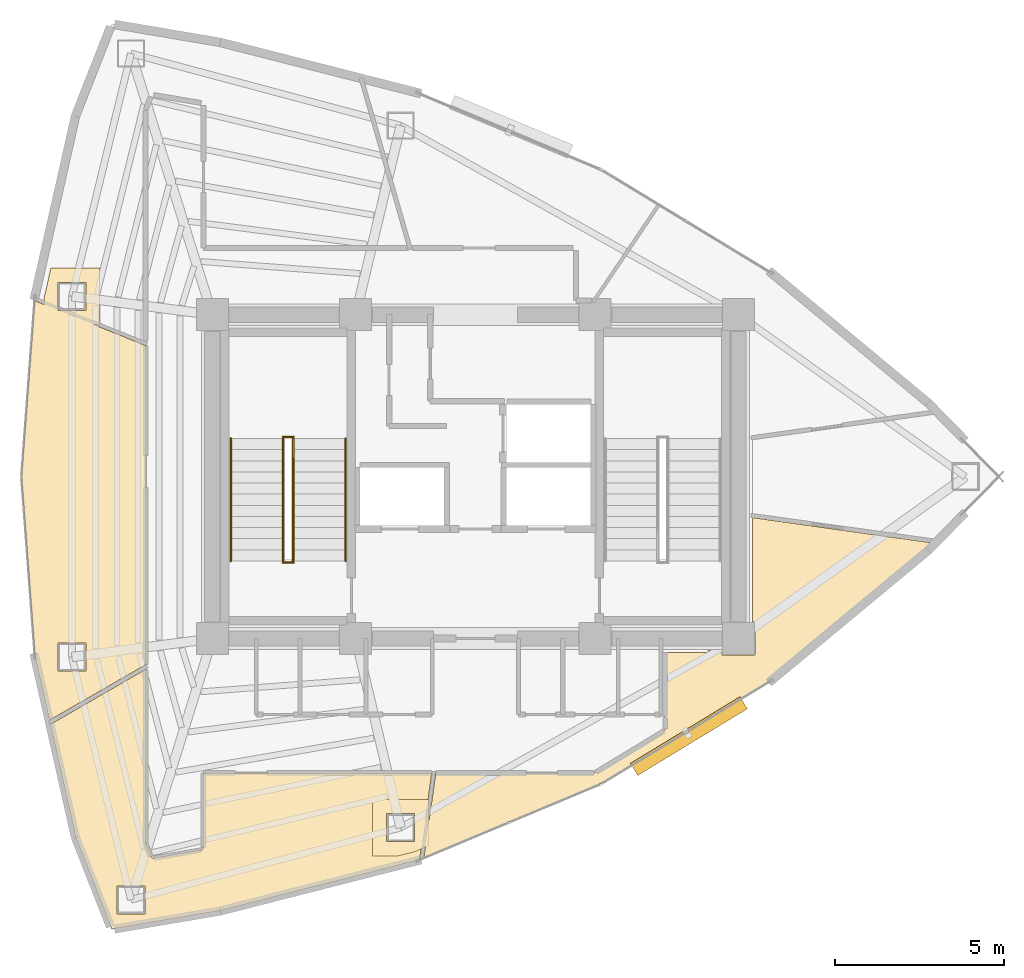
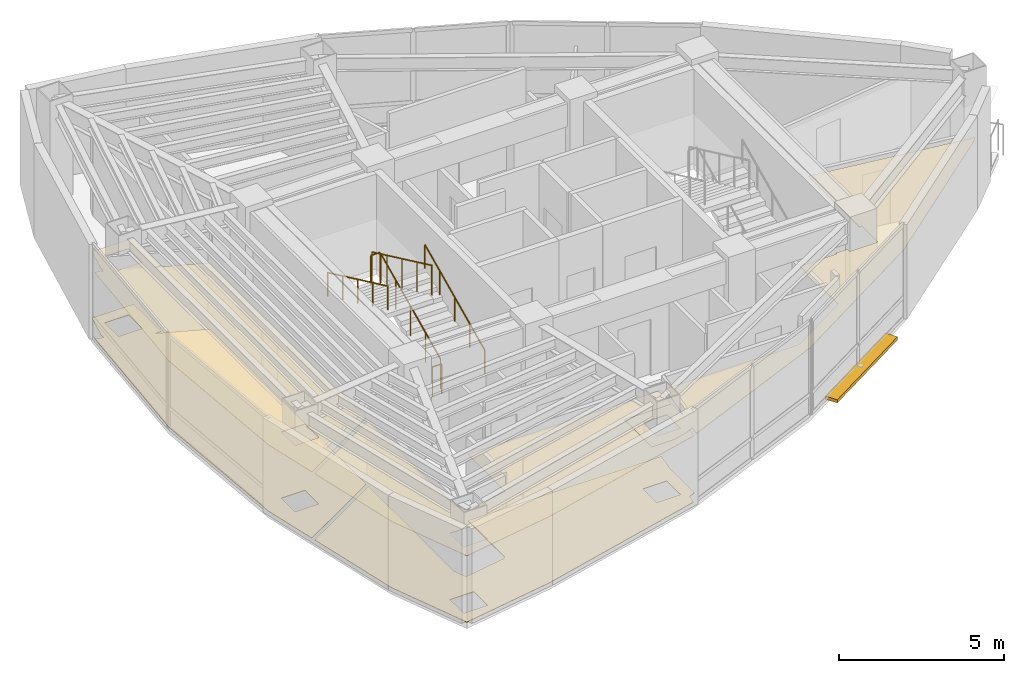
# One storey, part 14 of 15: 6 railings, 5 coverings, 1 shading device.
"""IFC4 building model written with IfcOpenShell, lengths in metres."""

from ifc_helpers import new_model, si_unit, direction, frame, origin, origin_2d, place, context, subcontext, project, spatial, polyline, rectangle, circle, outline, extrude, material, layer, layer_set, type_object, element, save


model = new_model("IFC4")

# Units and contexts
model_context = context("Model", 3, precision=1e-05, world=origin(), true_north=direction((0.0, 1.0)))
body_context = subcontext(model_context, "Body", "Model", "MODEL_VIEW")
ifc_project = project(units=[si_unit("LENGTHUNIT", "METRE"), si_unit("AREAUNIT", "SQUARE_METRE"), si_unit("VOLUMEUNIT", "CUBIC_METRE"), si_unit("PLANEANGLEUNIT", "RADIAN"), si_unit("MASSUNIT", "GRAM", prefix="KILO")], contexts=[model_context])

# Site, building, storey
site_placement = place(None, origin())
site = spatial("IfcSite", under=ifc_project, at=site_placement, CompositionType="ELEMENT")
building_placement = place(site_placement, origin())
building = spatial("IfcBuilding", under=site, at=building_placement, Name="Menara Vayukalpa", CompositionType="ELEMENT")
storey_placement = place(building_placement, frame((0.0, 0.0, 284.340087890625)))
storey = spatial("IfcBuildingStorey", under=building, at=storey_placement, Name="L72", CompositionType="ELEMENT", Elevation=284.340087890625)

# Coverings
ifc_material_1 = material(Name="Mineral Fibre Acoustic Ceiling Tile", Category="masonry")
ifc_layer_1 = layer(ifc_material_1, 0.02490234375)
ifc_layer_set_1 = layer_set([ifc_layer_1], Name="Mineral Fibre Acoustic Ceiling Tile")
covering_type_1 = type_object("IfcCoveringType", Name="COV-CLG1", PredefinedType="CEILING", material=ifc_layer_set_1)
covering_1_placement = place(storey_placement, frame((0.0, 0.0, 2.449951171875)))
element("IfcCovering", 1, at=covering_1_placement, inside=storey, type_object=covering_type_1, Name="L72 Corporate Training Classroom Acoustic Ceiling", PredefinedType="CEILING", context=body_context, shape_type="SweptSolid", body=[
    extrude(outline(polyline([(12.148193359375, 22.0), (12.148193359375, 22.000732421875), (12.537841796875, 27.198486328125), (12.5380859375, 27.19970703125), (12.538330078125, 27.20068359375), (12.53857421875, 27.201416015625), (12.5390625, 27.202392578125), (12.53955078125, 27.203369140625), (12.5400390625, 27.2041015625), (12.540771484375, 27.204833984375), (12.54150390625, 27.20556640625), (12.542236328125, 27.2060546875), (12.54296875, 27.20654296875), (12.5439453125, 27.20703125), (12.544921875, 27.20751953125), (12.5458984375, 27.207763671875), (12.546875, 27.207763671875), (12.5478515625, 27.2080078125), (12.548828125, 27.2080078125), (12.5498046875, 27.207763671875), (12.55078125, 27.20751953125), (12.551513671875, 27.207275390625), (12.803955078125, 27.105224609375), (12.803955078125, 27.13623046875), (12.816650390625, 27.305419921875), (13.013916015625, 28.181640625), (14.47412109375, 28.181640625), (14.47412109375, 26.51171875), (14.27294921875, 26.51171875), (15.82373046875, 25.88525390625), (15.82470703125, 25.884765625), (15.825439453125, 25.88427734375), (15.826416015625, 25.8837890625), (15.826904296875, 25.883056640625), (15.82763671875, 25.88232421875), (15.828369140625, 25.881591796875), (15.828857421875, 25.880615234375), (15.8291015625, 25.8798828125), (15.82958984375, 25.87890625), (15.829833984375, 25.8779296875), (15.830078125, 25.876953125), (15.830078125, 25.8759765625), (15.830078125, 16.434326171875), (15.830078125, 16.433349609375), (15.829833984375, 16.432373046875), (15.82958984375, 16.431396484375), (15.829345703125, 16.4306640625), (15.828857421875, 16.4296875), (15.828369140625, 16.428955078125), (15.827880859375, 16.427978515625), (15.8271484375, 16.427490234375), (15.826416015625, 16.4267578125), (15.82568359375, 16.42626953125), (15.824951171875, 16.425537109375), (12.98291015625, 14.784912109375), (12.982177734375, 14.784423828125), (12.981201171875, 14.783935546875), (12.980224609375, 14.78369140625), (12.979248046875, 14.78369140625), (12.978271484375, 14.783447265625), (12.977294921875, 14.783447265625), (12.976318359375, 14.78369140625), (12.975341796875, 14.78369140625), (12.974365234375, 14.7841796875), (12.973388671875, 14.784423828125), (12.97265625, 14.784912109375), (12.971923828125, 14.78564453125), (12.97119140625, 14.7861328125), (12.970458984375, 14.786865234375), (12.9697265625, 14.78759765625), (12.96923828125, 14.78857421875), (12.968994140625, 14.789306640625), (12.968505859375, 14.790283203125), (12.96826171875, 14.791259765625), (12.549072265625, 16.654052734375), (12.548828125, 16.655517578125), (12.148193359375, 21.999267578125), (12.148193359375, 22.0)]), holes=[polyline([(14.053955078125, 17.068359375), (13.22412109375, 17.068359375), (13.22412109375, 16.23828125), (14.053955078125, 16.23828125), (14.053955078125, 17.068359375)]), polyline([(14.053955078125, 27.76171875), (13.22412109375, 27.76171875), (13.22412109375, 26.931640625), (14.053955078125, 26.931640625), (14.053955078125, 27.76171875)])]), origin(), (0.0, 0.0, 1.0), 0.02490234375),
])
covering_2_placement = place(storey_placement, frame((0.0, 0.0, 2.449951171875)))
element("IfcCovering", 2, at=covering_2_placement, inside=storey, type_object=covering_type_1, Name="L72 Corporate Training Classroom Acoustic Ceiling", PredefinedType="CEILING", context=body_context, shape_type="SweptSolid", body=[
    extrude(outline(polyline([(23.98828125, 10.96337890625), (23.9462890625, 10.664794921875), (23.94580078125, 10.65869140625), (23.945556640625, 10.65771484375), (23.9453125, 10.65673828125), (23.945068359375, 10.65576171875), (23.944580078125, 10.65478515625), (23.944091796875, 10.654052734375), (23.943603515625, 10.6533203125), (23.94287109375, 10.652587890625), (23.942138671875, 10.65185546875), (23.94140625, 10.6513671875), (23.940673828125, 10.65087890625), (23.939697265625, 10.650390625), (23.878662109375, 10.624755859375), (23.877197265625, 10.624267578125), (18.028564453125, 9.1328125), (18.027587890625, 9.132568359375), (14.82861328125, 8.58935546875), (14.827392578125, 8.589111328125), (14.826416015625, 8.589111328125), (14.82568359375, 8.58935546875), (14.82470703125, 8.58935546875), (14.82373046875, 8.589599609375), (14.82275390625, 8.590087890625), (14.822021484375, 8.590576171875), (14.821044921875, 8.591064453125), (14.8203125, 8.591552734375), (14.819580078125, 8.59228515625), (14.81884765625, 8.593017578125), (14.818359375, 8.59375), (14.81787109375, 8.5947265625), (14.8173828125, 8.595458984375), (13.751953125, 11.308837890625), (13.751708984375, 11.309814453125), (13.75146484375, 11.310302734375), (13.00048828125, 14.648193359375), (13.000244140625, 14.649169921875), (13.000244140625, 14.650146484375), (13.000244140625, 14.651123046875), (13.000244140625, 14.652099609375), (13.00048828125, 14.653076171875), (13.0009765625, 14.654052734375), (13.001220703125, 14.65478515625), (13.001708984375, 14.65576171875), (13.002197265625, 14.656494140625), (13.0029296875, 14.6572265625), (13.003662109375, 14.657958984375), (13.00439453125, 14.658447265625), (13.005126953125, 14.6591796875), (15.81494140625, 16.281494140625), (15.81591796875, 16.28173828125), (15.81689453125, 16.2822265625), (15.81787109375, 16.282470703125), (15.81884765625, 16.28271484375), (15.81982421875, 16.28271484375), (15.82080078125, 16.28271484375), (15.82177734375, 16.282470703125), (15.82275390625, 16.2822265625), (15.82373046875, 16.281982421875), (15.82470703125, 16.281494140625), (15.825439453125, 16.281005859375), (15.826171875, 16.280517578125), (15.826904296875, 16.27978515625), (15.82763671875, 16.279052734375), (15.828369140625, 16.2783203125), (15.828857421875, 16.277587890625), (15.8291015625, 16.276611328125), (15.82958984375, 16.275634765625), (15.829833984375, 16.274658203125), (15.830078125, 16.273681640625), (15.830078125, 16.272705078125), (15.830078125, 11.146484375), (15.830322265625, 11.1396484375), (15.831298828125, 11.13330078125), (15.832763671875, 11.126708984375), (15.8349609375, 11.12060546875), (15.984619140625, 10.7392578125), (15.987548828125, 10.732666015625), (15.990966796875, 10.726806640625), (15.994873046875, 10.72119140625), (15.999267578125, 10.716064453125), (16.00439453125, 10.71142578125), (16.009765625, 10.707275390625), (16.015625, 10.70361328125), (16.021484375, 10.700439453125), (16.02783203125, 10.697998046875), (16.034423828125, 10.6962890625), (16.041259765625, 10.695068359375), (16.048095703125, 10.694580078125), (16.054931640625, 10.694580078125), (16.06201171875, 10.695556640625), (17.471435546875, 10.934814453125), (17.478515625, 10.936279296875), (17.485107421875, 10.938720703125), (17.49169921875, 10.94140625), (17.497802734375, 10.94482421875), (17.50341796875, 10.94921875), (17.5087890625, 10.95361328125), (17.513427734375, 10.958740234375), (17.517822265625, 10.96435546875), (17.521484375, 10.97021484375), (17.5244140625, 10.9765625), (17.52685546875, 10.983154296875), (17.528564453125, 10.989990234375), (17.529541015625, 10.996826171875), (17.530029296875, 11.004150390625), (17.530029296875, 13.2099609375), (17.530029296875, 13.2109375), (17.5302734375, 13.2119140625), (17.530517578125, 13.212890625), (17.53076171875, 13.2138671875), (17.53125, 13.214599609375), (17.53173828125, 13.215576171875), (17.5322265625, 13.21630859375), (17.532958984375, 13.217041015625), (17.53369140625, 13.2177734375), (17.534423828125, 13.21826171875), (17.535400390625, 13.21875), (17.5361328125, 13.21923828125), (17.537109375, 13.219482421875), (17.5380859375, 13.2197265625), (17.5390625, 13.219970703125), (17.5400390625, 13.219970703125), (24.2939453125, 13.219970703125), (24.294921875, 13.219970703125), (24.2958984375, 13.2197265625), (24.297119140625, 13.219482421875), (24.2978515625, 13.21923828125), (24.298828125, 13.21875), (24.2998046875, 13.21826171875), (24.300537109375, 13.217529296875), (24.30126953125, 13.216796875), (24.302001953125, 13.21630859375), (24.302490234375, 13.21533203125), (24.302978515625, 13.214599609375), (24.30322265625, 13.213623046875), (24.3037109375, 13.212646484375), (24.303955078125, 13.211669921875), (24.303955078125, 13.210693359375), (24.303955078125, 13.209716796875), (24.303955078125, 13.20849609375), (24.194580078125, 12.43017578125), (24.216796875, 12.43017578125), (24.216796875, 11.05908203125), (23.98828125, 10.96337890625)]), holes=[polyline([(14.97412109375, 9.870361328125), (14.97412109375, 9.040283203125), (15.80419921875, 9.040283203125), (15.80419921875, 9.870361328125), (14.97412109375, 9.870361328125)]), polyline([(23.796875, 12.01025390625), (22.966796875, 12.01025390625), (22.966796875, 11.18017578125), (23.796875, 11.18017578125), (23.796875, 12.01025390625)])]), origin(), (0.0, 0.0, 1.0), 0.02490234375),
])
covering_3_placement = place(storey_placement, frame((0.0, 0.0, 2.449951171875)))
element("IfcCovering", 3, at=covering_3_placement, inside=storey, type_object=covering_type_1, Name="L72 Corporate Training Classroom Acoustic Ceiling", PredefinedType="CEILING", context=body_context, shape_type="SweptSolid", body=[
    extrude(outline(polyline([(24.216796875, 12.43017578125), (24.216796875, 11.727783203125), (24.42529296875, 13.21142578125), (24.425537109375, 13.21240234375), (24.42578125, 13.213134765625), (24.42626953125, 13.214111328125), (24.426513671875, 13.215087890625), (24.427001953125, 13.2158203125), (24.427734375, 13.216552734375), (24.428466796875, 13.21728515625), (24.42919921875, 13.218017578125), (24.429931640625, 13.218505859375), (24.4306640625, 13.218994140625), (24.431640625, 13.21923828125), (24.4326171875, 13.219482421875), (24.433349609375, 13.2197265625), (24.434326171875, 13.219970703125), (24.435302734375, 13.219970703125), (29.109619140625, 13.219970703125), (29.11669921875, 13.220458984375), (29.12353515625, 13.221435546875), (29.13037109375, 13.22314453125), (29.13720703125, 13.2255859375), (29.153076171875, 13.232177734375), (29.157958984375, 13.234375), (29.16259765625, 13.237060546875), (31.18603515625, 14.46630859375), (31.1923828125, 14.470458984375), (31.19775390625, 14.47509765625), (31.20263671875, 14.480224609375), (31.20703125, 14.48583984375), (31.2109375, 14.491943359375), (31.214111328125, 14.498291015625), (31.216552734375, 14.5048828125), (31.218505859375, 14.511962890625), (31.219482421875, 14.51904296875), (31.219970703125, 14.5263671875), (31.219970703125, 14.849609375), (31.219482421875, 14.856689453125), (31.21875, 14.86376953125), (31.217041015625, 14.870361328125), (31.214599609375, 14.876708984375), (31.2119140625, 14.8828125), (31.211669921875, 14.883056640625), (31.211181640625, 14.8837890625), (31.210693359375, 14.884765625), (31.21044921875, 14.8857421875), (31.210205078125, 14.88671875), (31.2099609375, 14.8876953125), (31.2099609375, 14.888671875), (31.2099609375, 16.780029296875), (31.2099609375, 16.781005859375), (31.210205078125, 16.781982421875), (31.21044921875, 16.782958984375), (31.210693359375, 16.78369140625), (31.211181640625, 16.78466796875), (31.211669921875, 16.78564453125), (31.21240234375, 16.786376953125), (31.212890625, 16.787109375), (31.213623046875, 16.78759765625), (31.21435546875, 16.788330078125), (31.21533203125, 16.788818359375), (31.21630859375, 16.789306640625), (31.217041015625, 16.78955078125), (31.218017578125, 16.789794921875), (31.218994140625, 16.7900390625), (31.219970703125, 16.7900390625), (32.489990234375, 16.7900390625), (32.489990234375, 16.85009765625), (32.909912109375, 16.85009765625), (32.909912109375, 16.7099609375), (33.889892578125, 16.7099609375), (33.889892578125, 17.68994140625), (33.81005859375, 17.68994140625), (33.81005859375, 20.774169921875), (33.81005859375, 20.775146484375), (33.810302734375, 20.776123046875), (33.810546875, 20.777099609375), (33.810791015625, 20.778076171875), (33.811279296875, 20.77880859375), (33.811767578125, 20.77978515625), (33.8125, 20.780517578125), (33.81298828125, 20.78125), (33.813720703125, 20.781982421875), (33.814697265625, 20.782470703125), (33.8154296875, 20.782958984375), (33.81640625, 20.783447265625), (33.8173828125, 20.78369140625), (33.818359375, 20.783935546875), (33.8193359375, 20.7841796875), (33.8203125, 20.7841796875), (33.8212890625, 20.783935546875), (39.19970703125, 20.028076171875), (39.20068359375, 20.02783203125), (39.201416015625, 20.027587890625), (39.202392578125, 20.027099609375), (39.203369140625, 20.02685546875), (39.2041015625, 20.026123046875), (39.205078125, 20.025634765625), (39.205810546875, 20.02490234375), (39.206298828125, 20.024169921875), (39.206787109375, 20.023193359375), (39.207275390625, 20.022216796875), (39.207763671875, 20.021484375), (39.2080078125, 20.0205078125), (39.2080078125, 20.01953125), (39.208251953125, 20.0185546875), (39.208251953125, 20.017578125), (39.2080078125, 20.0166015625), (39.207763671875, 20.015380859375), (39.20751953125, 20.014404296875), (39.20703125, 20.013671875), (39.20654296875, 20.0126953125), (39.2060546875, 20.011962890625), (39.205322265625, 20.01123046875), (39.021240234375, 19.82373046875), (39.0205078125, 19.822998046875), (34.374755859375, 15.97021484375), (34.37353515625, 15.969482421875), (29.3271484375, 12.904052734375), (29.326416015625, 12.90380859375), (29.32568359375, 12.9033203125), (24.089599609375, 10.713134765625), (24.088623046875, 10.712646484375), (24.087646484375, 10.71240234375), (24.086669921875, 10.71240234375), (24.085693359375, 10.71240234375), (24.084716796875, 10.71240234375), (24.083740234375, 10.71240234375), (24.082763671875, 10.712890625), (24.081787109375, 10.713134765625), (24.080810546875, 10.713623046875), (24.080078125, 10.714111328125), (24.0791015625, 10.714599609375), (24.07861328125, 10.71533203125), (24.077880859375, 10.716064453125), (24.0771484375, 10.717041015625), (24.07666015625, 10.7177734375), (24.076416015625, 10.71875), (24.075927734375, 10.7197265625), (24.07568359375, 10.720703125), (24.07568359375, 10.7216796875), (24.07568359375, 10.72265625), (24.07568359375, 10.7236328125), (24.116943359375, 11.01708984375), (23.7919921875, 10.881103515625), (23.3173828125, 10.76025390625), (22.546875, 10.76025390625), (22.546875, 12.43017578125), (24.216796875, 12.43017578125)]), holes=[polyline([(23.796875, 12.01025390625), (22.966796875, 12.01025390625), (22.966796875, 11.18017578125), (23.796875, 11.18017578125), (23.796875, 12.01025390625)])]), origin(), (0.0, 0.0, 1.0), 0.02490234375),
])
ifc_material_2 = material(Name="Porcelain Stoneware Floor Tile", Category="masonry")
ifc_layer_2 = layer(ifc_material_2, 0.02001953125)
ifc_layer_set_2 = layer_set([ifc_layer_2], Name="Porcelain Stoneware Floor Tile")
covering_type_2 = type_object("IfcCoveringType", Name="COV-FLR1", PredefinedType="FLOORING", material=ifc_layer_set_2)
covering_4_placement = place(storey_placement, origin())
element("IfcCovering", 4, at=covering_4_placement, inside=storey, type_object=covering_type_2, Name="L72 Corporate Training Classroom Porcelain Flooring", PredefinedType="FLOORING", context=body_context, shape_type="SweptSolid", body=[
    extrude(outline(polyline([(12.148193359375, 22.0), (12.148193359375, 22.000732421875), (12.537841796875, 27.198486328125), (12.5380859375, 27.19970703125), (12.538330078125, 27.20068359375), (12.53857421875, 27.201416015625), (12.5390625, 27.202392578125), (12.53955078125, 27.203369140625), (12.5400390625, 27.2041015625), (12.540771484375, 27.204833984375), (12.54150390625, 27.20556640625), (12.542236328125, 27.2060546875), (12.54296875, 27.20654296875), (12.5439453125, 27.20703125), (12.544921875, 27.20751953125), (12.5458984375, 27.207763671875), (12.546875, 27.207763671875), (12.5478515625, 27.2080078125), (12.548828125, 27.2080078125), (12.5498046875, 27.207763671875), (12.55078125, 27.20751953125), (12.551513671875, 27.207275390625), (12.803955078125, 27.105224609375), (12.803955078125, 27.13623046875), (12.816650390625, 27.305419921875), (13.013916015625, 28.181640625), (14.47412109375, 28.181640625), (14.47412109375, 26.51171875), (14.27294921875, 26.51171875), (15.82373046875, 25.88525390625), (15.82470703125, 25.884765625), (15.825439453125, 25.88427734375), (15.826416015625, 25.8837890625), (15.826904296875, 25.883056640625), (15.82763671875, 25.88232421875), (15.828369140625, 25.881591796875), (15.828857421875, 25.880615234375), (15.8291015625, 25.8798828125), (15.82958984375, 25.87890625), (15.829833984375, 25.8779296875), (15.830078125, 25.876953125), (15.830078125, 25.8759765625), (15.830078125, 16.434326171875), (15.830078125, 16.433349609375), (15.829833984375, 16.432373046875), (15.82958984375, 16.431396484375), (15.829345703125, 16.4306640625), (15.828857421875, 16.4296875), (15.828369140625, 16.428955078125), (15.827880859375, 16.427978515625), (15.8271484375, 16.427490234375), (15.826416015625, 16.4267578125), (15.82568359375, 16.42626953125), (15.824951171875, 16.425537109375), (12.98291015625, 14.784912109375), (12.982177734375, 14.784423828125), (12.981201171875, 14.783935546875), (12.980224609375, 14.78369140625), (12.979248046875, 14.78369140625), (12.978271484375, 14.783447265625), (12.977294921875, 14.783447265625), (12.976318359375, 14.78369140625), (12.975341796875, 14.78369140625), (12.974365234375, 14.7841796875), (12.973388671875, 14.784423828125), (12.97265625, 14.784912109375), (12.971923828125, 14.78564453125), (12.97119140625, 14.7861328125), (12.970458984375, 14.786865234375), (12.9697265625, 14.78759765625), (12.96923828125, 14.78857421875), (12.968994140625, 14.789306640625), (12.968505859375, 14.790283203125), (12.96826171875, 14.791259765625), (12.549072265625, 16.654052734375), (12.548828125, 16.655517578125), (12.148193359375, 21.999267578125), (12.148193359375, 22.0)]), holes=[polyline([(14.053955078125, 17.068359375), (13.22412109375, 17.068359375), (13.22412109375, 16.23828125), (14.053955078125, 16.23828125), (14.053955078125, 17.068359375)]), polyline([(14.053955078125, 27.76171875), (13.22412109375, 27.76171875), (13.22412109375, 26.931640625), (14.053955078125, 26.931640625), (14.053955078125, 27.76171875)])]), origin(), (0.0, 0.0, 1.0), 0.02001953125),
])
covering_5_placement = place(storey_placement, origin())
element("IfcCovering", 5, at=covering_5_placement, inside=storey, type_object=covering_type_2, Name="L72 Corporate Training Classroom Porcelain Flooring", PredefinedType="FLOORING", context=body_context, shape_type="SweptSolid", body=[
    extrude(outline(polyline([(23.98828125, 10.96337890625), (23.9462890625, 10.664794921875), (23.94580078125, 10.65869140625), (23.945556640625, 10.65771484375), (23.9453125, 10.65673828125), (23.945068359375, 10.65576171875), (23.944580078125, 10.65478515625), (23.944091796875, 10.654052734375), (23.943603515625, 10.6533203125), (23.94287109375, 10.652587890625), (23.942138671875, 10.65185546875), (23.94140625, 10.6513671875), (23.940673828125, 10.65087890625), (23.939697265625, 10.650390625), (23.878662109375, 10.624755859375), (23.877197265625, 10.624267578125), (18.028564453125, 9.1328125), (18.027587890625, 9.132568359375), (14.82861328125, 8.58935546875), (14.827392578125, 8.589111328125), (14.826416015625, 8.589111328125), (14.82568359375, 8.58935546875), (14.82470703125, 8.58935546875), (14.82373046875, 8.589599609375), (14.82275390625, 8.590087890625), (14.822021484375, 8.590576171875), (14.821044921875, 8.591064453125), (14.8203125, 8.591552734375), (14.819580078125, 8.59228515625), (14.81884765625, 8.593017578125), (14.818359375, 8.59375), (14.81787109375, 8.5947265625), (14.8173828125, 8.595458984375), (13.751953125, 11.308837890625), (13.751708984375, 11.309814453125), (13.75146484375, 11.310302734375), (13.00048828125, 14.648193359375), (13.000244140625, 14.649169921875), (13.000244140625, 14.650146484375), (13.000244140625, 14.651123046875), (13.000244140625, 14.652099609375), (13.00048828125, 14.653076171875), (13.0009765625, 14.654052734375), (13.001220703125, 14.65478515625), (13.001708984375, 14.65576171875), (13.002197265625, 14.656494140625), (13.0029296875, 14.6572265625), (13.003662109375, 14.657958984375), (13.00439453125, 14.658447265625), (13.005126953125, 14.6591796875), (15.81494140625, 16.281494140625), (15.81591796875, 16.28173828125), (15.81689453125, 16.2822265625), (15.81787109375, 16.282470703125), (15.81884765625, 16.28271484375), (15.81982421875, 16.28271484375), (15.82080078125, 16.28271484375), (15.82177734375, 16.282470703125), (15.82275390625, 16.2822265625), (15.82373046875, 16.281982421875), (15.82470703125, 16.281494140625), (15.825439453125, 16.281005859375), (15.826171875, 16.280517578125), (15.826904296875, 16.27978515625), (15.82763671875, 16.279052734375), (15.828369140625, 16.2783203125), (15.828857421875, 16.277587890625), (15.8291015625, 16.276611328125), (15.82958984375, 16.275634765625), (15.829833984375, 16.274658203125), (15.830078125, 16.273681640625), (15.830078125, 16.272705078125), (15.830078125, 11.146484375), (15.830322265625, 11.1396484375), (15.831298828125, 11.13330078125), (15.832763671875, 11.126708984375), (15.8349609375, 11.12060546875), (15.984619140625, 10.7392578125), (15.987548828125, 10.732666015625), (15.990966796875, 10.726806640625), (15.994873046875, 10.72119140625), (15.999267578125, 10.716064453125), (16.00439453125, 10.71142578125), (16.009765625, 10.707275390625), (16.015625, 10.70361328125), (16.021484375, 10.700439453125), (16.02783203125, 10.697998046875), (16.034423828125, 10.6962890625), (16.041259765625, 10.695068359375), (16.048095703125, 10.694580078125), (16.054931640625, 10.694580078125), (16.06201171875, 10.695556640625), (17.471435546875, 10.934814453125), (17.478515625, 10.936279296875), (17.485107421875, 10.938720703125), (17.49169921875, 10.94140625), (17.497802734375, 10.94482421875), (17.50341796875, 10.94921875), (17.5087890625, 10.95361328125), (17.513427734375, 10.958740234375), (17.517822265625, 10.96435546875), (17.521484375, 10.97021484375), (17.5244140625, 10.9765625), (17.52685546875, 10.983154296875), (17.528564453125, 10.989990234375), (17.529541015625, 10.996826171875), (17.530029296875, 11.004150390625), (17.530029296875, 13.2099609375), (17.530029296875, 13.2109375), (17.5302734375, 13.2119140625), (17.530517578125, 13.212890625), (17.53076171875, 13.2138671875), (17.53125, 13.214599609375), (17.53173828125, 13.215576171875), (17.5322265625, 13.21630859375), (17.532958984375, 13.217041015625), (17.53369140625, 13.2177734375), (17.534423828125, 13.21826171875), (17.535400390625, 13.21875), (17.5361328125, 13.21923828125), (17.537109375, 13.219482421875), (17.5380859375, 13.2197265625), (17.5390625, 13.219970703125), (17.5400390625, 13.219970703125), (24.2939453125, 13.219970703125), (24.294921875, 13.219970703125), (24.2958984375, 13.2197265625), (24.297119140625, 13.219482421875), (24.2978515625, 13.21923828125), (24.298828125, 13.21875), (24.2998046875, 13.21826171875), (24.300537109375, 13.217529296875), (24.30126953125, 13.216796875), (24.302001953125, 13.21630859375), (24.302490234375, 13.21533203125), (24.302978515625, 13.214599609375), (24.30322265625, 13.213623046875), (24.3037109375, 13.212646484375), (24.303955078125, 13.211669921875), (24.303955078125, 13.210693359375), (24.303955078125, 13.209716796875), (24.303955078125, 13.20849609375), (24.194580078125, 12.43017578125), (24.216796875, 12.43017578125), (24.216796875, 11.05908203125), (23.98828125, 10.96337890625)]), holes=[polyline([(14.97412109375, 9.870361328125), (14.97412109375, 9.040283203125), (15.80419921875, 9.040283203125), (15.80419921875, 9.870361328125), (14.97412109375, 9.870361328125)]), polyline([(23.796875, 12.01025390625), (22.966796875, 12.01025390625), (22.966796875, 11.18017578125), (23.796875, 11.18017578125), (23.796875, 12.01025390625)])]), origin(), (0.0, 0.0, 1.0), 0.02001953125),
])

# Railings
ifc_material_3 = material(Name="Powder-Coated Galvanised Steel Guardrail", Category="steel")
railing_type_1 = type_object("IfcRailingType", Name="RLG-STG110", PredefinedType="GUARDRAIL", material=ifc_material_3)
railing_1_placement = place(storey_placement, frame((20.199951171875, 19.5, 0.155029296875)))
element("IfcRailing", 6, at=railing_1_placement, inside=storey, type_object=railing_type_1, Name="L72 ST-1 stair guard 1", PredefinedType="GUARDRAIL", context=body_context, shape_type="SweptSolid", body=[
    extrude(circle(Radius=0.02392578125, at=origin_2d()), frame((0.0, 0.0, 1.09619140625), z_axis=(0.0, 0.90513990983, 0.425113800803), x_axis=(-1.0, 0.0, 0.0)), (0.0, 0.0, 1.0), 4.01025390625),
    extrude(circle(Radius=0.02099609375, at=origin_2d()), origin(), (0.0, 0.0, 1.0), 1.072021484375),
    extrude(circle(Radius=0.02099609375, at=origin_2d()), frame((0.0, 0.907470703125, 0.42626953125)), (0.0, 0.0, 1.0), 1.072021484375),
    extrude(circle(Radius=0.02099609375, at=origin_2d()), frame((0.0, 1.81494140625, 0.8525390625)), (0.0, 0.0, 1.0), 1.072021484375),
    extrude(circle(Radius=0.02099609375, at=origin_2d()), frame((0.0, 2.722412109375, 1.278564453125)), (0.0, 0.0, 1.0), 1.072021484375),
    extrude(circle(Radius=0.02099609375, at=origin_2d()), frame((0.0, 3.6298828125, 1.704833984375)), (0.0, 0.0, 1.0), 1.072021484375),
])
railing_2_placement = place(storey_placement, frame((20.2099609375, 23.179931640625, 1.85986328125)))
element("IfcRailing", 7, at=railing_2_placement, inside=storey, type_object=railing_type_1, Name="L72 ST-1 stair guard 2", PredefinedType="GUARDRAIL", context=body_context, shape_type="SweptSolid", body=[
    extrude(circle(Radius=0.02392578125, at=origin_2d()), frame((0.0, 0.0, 1.09619140625), z_axis=(-1.0, 0.0, 0.0), x_axis=(0.0, -1.0, 0.0)), (0.0, 0.0, 1.0), 0.320068359375),
    extrude(circle(Radius=0.02099609375, at=origin_2d()), origin(), (0.0, 0.0, 1.0), 1.072021484375),
    extrude(circle(Radius=0.02099609375, at=origin_2d()), frame((-0.320068359375, 0.0, 0.0)), (0.0, 0.0, 1.0), 1.072021484375),
])
railing_3_placement = place(storey_placement, frame((19.89990234375, 23.1298828125, 2.014892578125)))
element("IfcRailing", 8, at=railing_3_placement, inside=storey, type_object=railing_type_1, Name="L72 ST-1 stair guard 3", PredefinedType="GUARDRAIL", context=body_context, shape_type="SweptSolid", body=[
    extrude(circle(Radius=0.02392578125, at=origin_2d()), frame((0.0, 0.0, 1.09619140625), z_axis=(0.0, -0.90511648382, 0.425163675209), x_axis=(1.0, 0.0, 0.0)), (0.0, 0.0, 1.0), 4.010498046875),
    extrude(circle(Radius=0.02099609375, at=origin_2d()), origin(), (0.0, 0.0, 1.0), 1.072021484375),
    extrude(circle(Radius=0.02099609375, at=origin_2d()), frame((0.0, -0.907470703125, 0.42626953125)), (0.0, 0.0, 1.0), 1.072021484375),
    extrude(circle(Radius=0.02099609375, at=origin_2d()), frame((0.0, -1.81494140625, 0.8525390625)), (0.0, 0.0, 1.0), 1.072021484375),
    extrude(circle(Radius=0.02099609375, at=origin_2d()), frame((0.0, -2.722412109375, 1.27880859375)), (0.0, 0.0, 1.0), 1.072021484375),
    extrude(circle(Radius=0.02099609375, at=origin_2d()), frame((0.0, -3.6298828125, 1.705078125)), (0.0, 0.0, 1.0), 1.072021484375),
])
railing_4_placement = place(storey_placement, frame((20.2099609375, 19.449951171875, 0.0)))
element("IfcRailing", 9, at=railing_4_placement, inside=storey, type_object=railing_type_1, Name="L72 ST-1 stair guard 4", PredefinedType="GUARDRAIL", context=body_context, shape_type="SweptSolid", body=[
    extrude(circle(Radius=0.02392578125, at=origin_2d()), frame((0.0, 0.0, 1.09619140625), z_axis=(-1.0, 0.0, 0.0), x_axis=(0.0, -1.0, 0.0)), (0.0, 0.0, 1.0), 0.320068359375),
    extrude(circle(Radius=0.02099609375, at=origin_2d()), origin(), (0.0, 0.0, 1.0), 1.072021484375),
    extrude(circle(Radius=0.02099609375, at=origin_2d()), frame((-0.320068359375, 0.0, 0.0)), (0.0, 0.0, 1.0), 1.072021484375),
])
ifc_material_4 = material(Name="Stainless Steel 316 Tubular Handrail", Category="steel")
railing_type_2 = type_object("IfcRailingType", Name="RLG-STH090", PredefinedType="HANDRAIL", material=ifc_material_4)
railing_5_placement = place(storey_placement, frame((21.75, 19.5, 0.155029296875)))
element("IfcRailing", 10, at=railing_5_placement, inside=storey, type_object=railing_type_2, Name="L72 ST-1 stair handrail 1", PredefinedType="HANDRAIL", context=body_context, shape_type="SweptSolid", body=[
    extrude(circle(Radius=0.02392578125, at=origin_2d()), frame((0.0, 0.0, 0.8759765625), z_axis=(0.0, 0.90513990983, 0.425113800803), x_axis=(-1.0, 0.0, 0.0)), (0.0, 0.0, 1.0), 4.01025390625),
    extrude(circle(Radius=0.02099609375, at=origin_2d()), origin(), (0.0, 0.0, 1.0), 0.851806640625),
    extrude(circle(Radius=0.02099609375, at=origin_2d()), frame((0.0, 0.907470703125, 0.42626953125)), (0.0, 0.0, 1.0), 0.851806640625),
    extrude(circle(Radius=0.02099609375, at=origin_2d()), frame((0.0, 1.81494140625, 0.8525390625)), (0.0, 0.0, 1.0), 0.851806640625),
    extrude(circle(Radius=0.02099609375, at=origin_2d()), frame((0.0, 2.722412109375, 1.278564453125)), (0.0, 0.0, 1.0), 0.851806640625),
    extrude(circle(Radius=0.02099609375, at=origin_2d()), frame((0.0, 3.6298828125, 1.704833984375)), (0.0, 0.0, 1.0), 0.851806640625),
])
railing_6_placement = place(storey_placement, frame((18.35009765625, 23.1298828125, 2.014892578125)))
element("IfcRailing", 11, at=railing_6_placement, inside=storey, type_object=railing_type_2, Name="L72 ST-1 stair handrail 2", PredefinedType="HANDRAIL", context=body_context, shape_type="SweptSolid", body=[
    extrude(circle(Radius=0.02392578125, at=origin_2d()), frame((0.0, 0.0, 0.8759765625), z_axis=(0.0, -0.90511648382, 0.425163675209), x_axis=(1.0, 0.0, 0.0)), (0.0, 0.0, 1.0), 4.010498046875),
    extrude(circle(Radius=0.02099609375, at=origin_2d()), origin(), (0.0, 0.0, 1.0), 0.851806640625),
    extrude(circle(Radius=0.02099609375, at=origin_2d()), frame((0.0, -0.907470703125, 0.42626953125)), (0.0, 0.0, 1.0), 0.851806640625),
    extrude(circle(Radius=0.02099609375, at=origin_2d()), frame((0.0, -1.81494140625, 0.8525390625)), (0.0, 0.0, 1.0), 0.851806640625),
    extrude(circle(Radius=0.02099609375, at=origin_2d()), frame((0.0, -2.722412109375, 1.27880859375)), (0.0, 0.0, 1.0), 0.851806640625),
    extrude(circle(Radius=0.02099609375, at=origin_2d()), frame((0.0, -3.6298828125, 1.705078125)), (0.0, 0.0, 1.0), 0.851806640625),
])

# Shading device
ifc_material_5 = material(Name="Glazed Terracotta Ceramic Baguette Extrusion", Category="masonry")
ifc_layer_3 = layer(ifc_material_5, 0.1201171875)
ifc_layer_set_3 = layer_set([ifc_layer_3], Name="Glazed Terracotta Ceramic Baguette Extrusion")
shading_device_type = type_object("IfcShadingDeviceType", Name="SHD-SS1", PredefinedType="USERDEFINED", material=ifc_layer_set_3)
shading_device_placement = place(storey_placement, frame((31.927978515625, 14.30859375, -0.10009765625), z_axis=(0.0, 0.0, 1.0), x_axis=(0.85466730962, 0.519176068272, 0.0)))
element("IfcShadingDevice", 12, at=shading_device_placement, inside=storey, type_object=shading_device_type, Name="L72 Horizontal Terracotta Sunshade Band 17", ObjectType="SUNSHADE", PredefinedType="USERDEFINED", context=body_context, shape_type="SweptSolid", body=[
    extrude(rectangle(XDim=3.800048828125, YDim=0.419921875, at=origin_2d()), origin(), (0.0, 0.0, 1.0), 0.1201171875),
])

save(model, "model.ifc")
